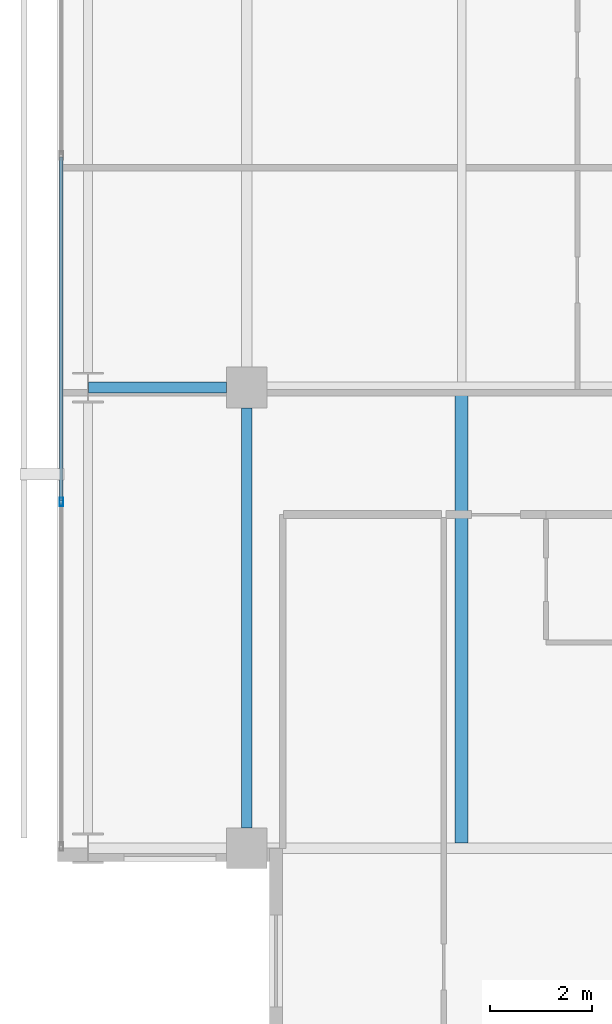
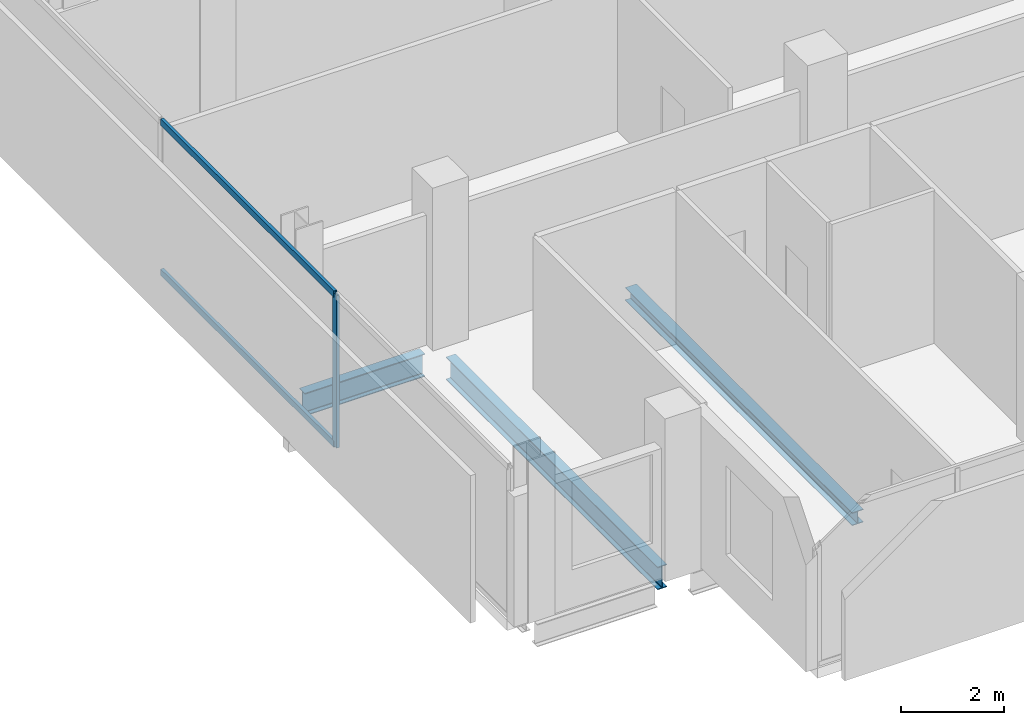
# One storey, part 4 of 34: 3 beams, 3 members, 1 element without a shape of its own.
"""IFC4 building model written with IfcOpenShell, lengths in metres."""

from ifc_helpers import new_model, si_unit, direction, frame, origin, origin_2d, place, context, subcontext, project, spatial, hollow_rectangle, i_section, extrude, material, layer, layer_set, material_profile, profile_set, type_object, element, aggregate, save


model = new_model("IFC4")

# Units and contexts
model_context = context("Model", 3, precision=1e-05, world=origin(), true_north=direction((0.0, 1.0)))
body_context = subcontext(model_context, "Body", "Model", "MODEL_VIEW")
ifc_project = project(units=[si_unit("LENGTHUNIT", "METRE"), si_unit("AREAUNIT", "SQUARE_METRE"), si_unit("VOLUMEUNIT", "CUBIC_METRE"), si_unit("PLANEANGLEUNIT", "RADIAN"), si_unit("MASSUNIT", "GRAM", prefix="KILO")], contexts=[model_context])

# Site, building, storey
site_placement = place(None, origin())
site = spatial("IfcSite", under=ifc_project, at=site_placement, CompositionType="ELEMENT")
building_placement = place(site_placement, origin())
building = spatial("IfcBuilding", under=site, at=building_placement, Name="Maruvema Waterfront Hotel and Observation Tower", CompositionType="ELEMENT")
storey_placement = place(building_placement, frame((0.0, 0.0, 212.10009765625)))
storey = spatial("IfcBuildingStorey", under=building, at=storey_placement, Name="L52", CompositionType="ELEMENT", Elevation=212.10009765625)

# Curtain wall, members
ifc_material_1 = material(Name="Anodised bronze aluminium and solar-control low-E IGU", Category="aluminium")
ifc_layer = layer(ifc_material_1, 0.159912109375, Name="Zone 2 Amber Inner Thermal Curtain Wall System CW-03")
ifc_layer_set = layer_set([ifc_layer], Name="Anodised bronze aluminium and solar-control low-E IGU")
curtain_wall_type = type_object("IfcCurtainWallType", Name="Zone 2 Amber Inner Thermal Curtain Wall System CW-03", PredefinedType="USERDEFINED", material=ifc_layer_set)
curtain_wall_placement = place(storey_placement, origin())
curtain_wall = element("IfcCurtainWall", 1, at=curtain_wall_placement, inside=storey, type_object=curtain_wall_type, Name="L52 Curtain Wall CW-L52-W", ObjectType="UNITISED CURTAIN WALL", PredefinedType="USERDEFINED")
ifc_material_2 = material(Name="Anodised architectural bronze aluminium", Category="aluminium")
ifc_material_profile_1 = material_profile(ifc_material_2, hollow_rectangle(XDim=0.070068359375, YDim=0.14990234375, WallThickness=0.00390625, at=origin_2d()), Name="ALU-T70x150")
ifc_profile_set_1 = profile_set([ifc_material_profile_1], Name="Anodised architectural bronze aluminium")
member_type_1 = type_object("IfcMemberType", Name="Curtain Wall Horizontal Transom ALU-T70x150", PredefinedType="USERDEFINED", material=ifc_profile_set_1)
member_1_placement = place(storey_placement, frame((13.179931640625, 22.50341796875, 0.02978515625), z_axis=(0.0, -1.0, 0.0), x_axis=(1.0, 0.0, 0.0)))
member_1 = element("IfcMember", 2, at=member_1_placement, type_object=member_type_1, Name="CW-03 transom 5.1", ObjectType="TRANSOM", PredefinedType="USERDEFINED", context=body_context, shape_type="SweptSolid", body=[
    extrude(hollow_rectangle(XDim=0.070068359375, YDim=0.14990234375, WallThickness=0.00390625, at=origin_2d()), origin(), (0.0, 0.0, 1.0), 6.706787109375),
])
member_2_placement = place(storey_placement, frame((13.179931640625, 22.50341796875, 3.579833984375), z_axis=(0.0, -1.0, 0.0), x_axis=(1.0, 0.0, 0.0)))
member_2 = element("IfcMember", 3, at=member_2_placement, type_object=member_type_1, Name="CW-03 transom 5.2", ObjectType="TRANSOM", PredefinedType="USERDEFINED", context=body_context, shape_type="SweptSolid", body=[
    extrude(hollow_rectangle(XDim=0.070068359375, YDim=0.14990234375, WallThickness=0.00390625, at=origin_2d()), origin(), (0.0, 0.0, 1.0), 6.706787109375),
])
ifc_material_3 = material(Name="Anodised architectural bronze aluminium", Category="aluminium")
ifc_material_profile_2 = material_profile(ifc_material_3, hollow_rectangle(XDim=0.06494140625, YDim=0.1650390625, WallThickness=0.00390625, at=origin_2d()), Name="ALU-M65x165")
ifc_profile_set_2 = profile_set([ifc_material_profile_2], Name="Anodised architectural bronze aluminium")
member_type_2 = type_object("IfcMemberType", Name="Curtain Wall Primary Mullion ALU-M65x165", PredefinedType="MULLION", material=ifc_profile_set_2)
member_3_placement = place(storey_placement, frame((13.179931640625, 15.7666015625, 0.0), z_axis=(0.0, 0.0, 1.0), x_axis=(1.0, 0.0, 0.0)))
member_3 = element("IfcMember", 4, at=member_3_placement, type_object=member_type_2, Name="CW-03 mullion 6", PredefinedType="MULLION", context=body_context, shape_type="SweptSolid", body=[
    extrude(hollow_rectangle(XDim=0.06494140625, YDim=0.1650390625, WallThickness=0.00390625, at=origin_2d()), origin(), (0.0, 0.0, 1.0), 3.60986328125),
])
aggregate(curtain_wall, [member_3, member_1, member_2])

# Beams
ifc_material_4 = material(Name="Steel ASTM A572 Grade 50", Category="steel")
ifc_material_profile_3 = material_profile(ifc_material_4, i_section(OverallWidth=0.2109375, OverallDepth=0.5390625, WebThickness=0.01171875, FlangeThickness=0.018798828125, FilletRadius=0.014892578125, at=origin_2d()), Name="W530x109.0")
ifc_profile_set_3 = profile_set([ifc_material_profile_3], Name="Steel ASTM A572 Grade 50")
beam_type_1 = type_object("IfcBeamType", Name="Primary Floor Girder W530x109.0", PredefinedType="BEAM", material=ifc_profile_set_3)
beam_1_placement = place(storey_placement, frame((13.71240234375, 18.0, -0.509521484375), z_axis=(1.0, 0.0, 0.0), x_axis=(0.0, 1.0, 0.0)))
element("IfcBeam", 5, at=beam_1_placement, inside=storey, type_object=beam_type_1, Name="L52 Floor Girder EW-11", PredefinedType="BEAM", context=body_context, shape_type="SweptSolid", body=[
    extrude(i_section(OverallWidth=0.2109375, OverallDepth=0.5390625, WebThickness=0.01171875, FlangeThickness=0.018798828125, FilletRadius=0.014892578125, at=origin_2d()), origin(), (0.0, 0.0, 1.0), 2.6875),
])
beam_2_placement = place(storey_placement, frame((16.800048828125, 9.39990234375, -0.509521484375), z_axis=(0.0, 1.0, 0.0), x_axis=(-1.0, 0.0, 0.0)))
element("IfcBeam", 6, at=beam_2_placement, inside=storey, type_object=beam_type_1, Name="L52 Floor Girder NS-05", PredefinedType="BEAM", context=body_context, shape_type="SweptSolid", body=[
    extrude(i_section(OverallWidth=0.2109375, OverallDepth=0.5390625, WebThickness=0.01171875, FlangeThickness=0.018798828125, FilletRadius=0.014892578125, at=origin_2d()), origin(), (0.0, 0.0, 1.0), 8.2001953125),
])
ifc_material_5 = material(Name="Steel ASTM A572 Grade 50", Category="steel")
ifc_material_profile_4 = material_profile(ifc_material_5, i_section(OverallWidth=0.25390625, OverallDepth=0.305908203125, WebThickness=0.0087890625, FlangeThickness=0.0146484375, FilletRadius=0.014892578125, at=origin_2d()), Name="W310x79.0")
ifc_profile_set_4 = profile_set([ifc_material_profile_4], Name="Steel ASTM A572 Grade 50")
beam_type_2 = type_object("IfcBeamType", Name="Secondary Floor Joist W310x79.0", PredefinedType="JOIST", material=ifc_profile_set_4)
beam_3_placement = place(storey_placement, frame((21.0, 9.10546875, -0.39306640625), z_axis=(0.0, 1.0, 0.0), x_axis=(-1.0, 0.0, 0.0)))
element("IfcBeam", 7, at=beam_3_placement, inside=storey, type_object=beam_type_2, Name="L52 Secondary Floor Joist JS-01", PredefinedType="JOIST", context=body_context, shape_type="SweptSolid", body=[
    extrude(i_section(OverallWidth=0.25390625, OverallDepth=0.305908203125, WebThickness=0.0087890625, FlangeThickness=0.0146484375, FilletRadius=0.014892578125, at=origin_2d()), origin(), (0.0, 0.0, 1.0), 8.7890625),
])

save(model, "model.ifc")
